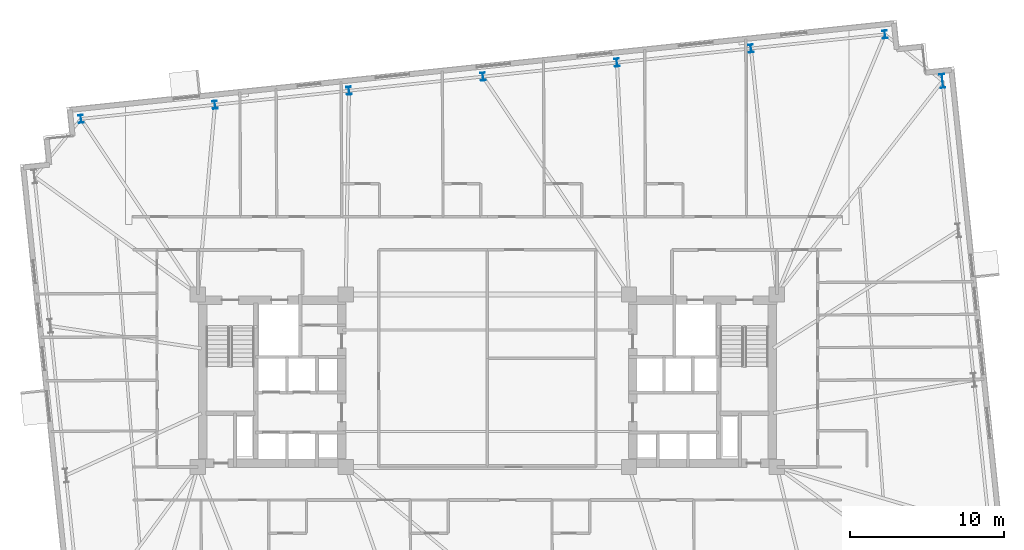
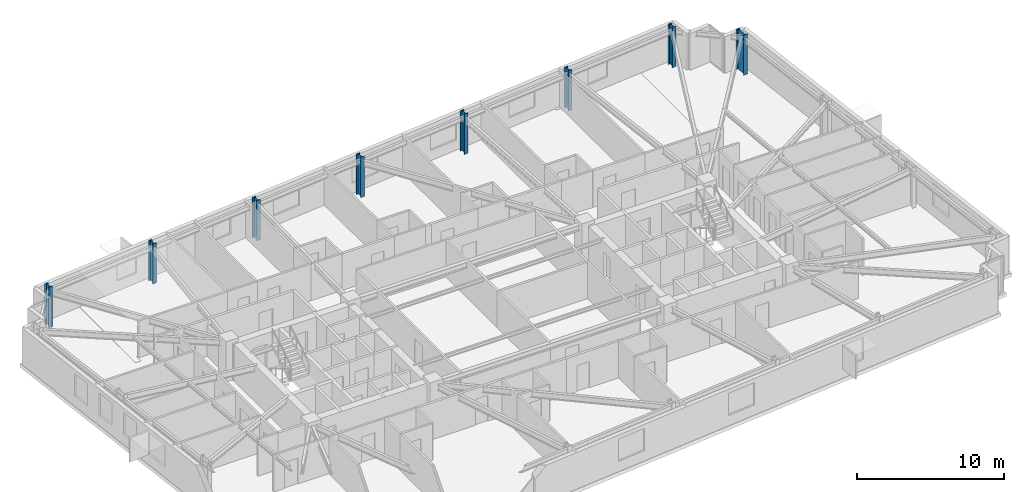
# One storey, part 3 of 19: 8 columns.
"""IFC4 building model written with IfcOpenShell, lengths in metres."""

from ifc_helpers import new_model, si_unit, direction, frame, origin, origin_2d, place, context, subcontext, project, spatial, i_section, extrude, material, material_profile, profile_set, type_object, element, save


model = new_model("IFC4")

# Units and contexts
model_context = context("Model", 3, precision=1e-05, world=origin(), true_north=direction((0.0, 1.0)))
body_context = subcontext(model_context, "Body", "Model", "MODEL_VIEW")
ifc_project = project(units=[si_unit("LENGTHUNIT", "METRE"), si_unit("AREAUNIT", "SQUARE_METRE"), si_unit("VOLUMEUNIT", "CUBIC_METRE"), si_unit("PLANEANGLEUNIT", "RADIAN"), si_unit("MASSUNIT", "GRAM", prefix="KILO")], contexts=[model_context])

# Site, building, storey
site_placement = place(None, origin())
site = spatial("IfcSite", under=ifc_project, at=site_placement, CompositionType="ELEMENT")
building_placement = place(site_placement, origin())
building = spatial("IfcBuilding", under=site, at=building_placement, Name="Qobustan Lattice House", CompositionType="ELEMENT")
storey_placement = place(building_placement, frame((0.0, 0.0, 82.35009765625)))
storey = spatial("IfcBuildingStorey", under=building, at=storey_placement, Name="L22", CompositionType="ELEMENT", Elevation=82.35009765625)

# Columns
ifc_material_1 = material(Name="Steel S355", Category="steel")
ifc_material_profile_1 = material_profile(ifc_material_1, i_section(OverallWidth=0.300048828125, OverallDepth=0.89990234375, WebThickness=0.0185546875, FlangeThickness=0.034912109375, FilletRadius=0.030029296875, at=origin_2d()), Name="HEB900")
ifc_profile_set_1 = profile_set([ifc_material_profile_1], Name="Steel S355")
column_type_1 = type_object("IfcColumnType", Name="COL-ST-HEB900", PredefinedType="COLUMN", material=ifc_profile_set_1)
column_placement = place(storey_placement, frame((29.55615234375, 19.468994140625, 0.0), z_axis=(0.0, 0.0, 1.0), x_axis=(0.994521895368, 0.104528463268, 0.0)))
element("IfcColumn", 1, at=column_placement, inside=storey, type_object=column_type_1, Name="L22 B2 perimeter column E4", PredefinedType="COLUMN", context=body_context, shape_type="SweptSolid", body=[
    extrude(i_section(OverallWidth=0.300048828125, OverallDepth=0.89990234375, WebThickness=0.0185546875, FlangeThickness=0.034912109375, FilletRadius=0.030029296875, at=origin_2d()), origin(), (0.0, 0.0, 1.0), 3.349853515625),
])
ifc_material_2 = material(Name="Steel S355", Category="steel")
ifc_material_profile_2 = material_profile(ifc_material_2, i_section(OverallWidth=0.305908203125, OverallDepth=0.52392578125, WebThickness=0.02099609375, FlangeThickness=0.0400390625, FilletRadius=0.027099609375, at=origin_2d()), Name="HEM500")
ifc_profile_set_2 = profile_set([ifc_material_profile_2], Name="Steel S355")
column_type_2 = type_object("IfcColumnType", Name="COL-ST-HEM500", PredefinedType="COLUMN", material=ifc_profile_set_2)
for number, where, z_axis, x_axis, name in (
    (2, (25.819580078125, 22.4951171875, 0.0), (0.0, 0.0, 1.0), (0.994521895368, 0.104528463268, 0.0), "L22 B2 perimeter column N1"),
    (3, (17.117431640625, 21.580322265625, 0.0), (0.0, 0.0, 1.0), (0.994521895368, 0.104528463268, 0.0), "L22 B2 perimeter column N2"),
    (4, (8.415283203125, 20.665771484375, 0.0), (0.0, 0.0, 1.0), (0.994521895368, 0.104528463268, 0.0), "L22 B2 perimeter column N3"),
    (5, (-0.28662109375, 19.751220703125, 0.0), (0.0, 0.0, 1.0), (0.994521895368, 0.104528463268, 0.0), "L22 B2 perimeter column N4"),
    (6, (-8.98876953125, 18.83642578125, 0.0), (0.0, 0.0, 1.0), (0.994521895368, 0.104528463268, 0.0), "L22 B2 perimeter column N5"),
    (7, (-17.69091796875, 17.921875, 0.0), (0.0, 0.0, 1.0), (0.994521895368, 0.104528463268, 0.0), "L22 B2 perimeter column N6"),
    (8, (-26.392822265625, 17.007080078125, 0.0), (0.0, 0.0, 1.0), (0.994521895368, 0.104528463268, 0.0), "L22 B2 perimeter column N7"),
):
    element("IfcColumn", number, at=place(storey_placement, frame(where, z_axis=z_axis, x_axis=x_axis)), inside=storey, type_object=column_type_2, Name=name, PredefinedType="COLUMN", context=body_context, shape_type="SweptSolid", body=[
        extrude(i_section(OverallWidth=0.305908203125, OverallDepth=0.52392578125, WebThickness=0.02099609375, FlangeThickness=0.0400390625, FilletRadius=0.027099609375, at=origin_2d()), origin(), (0.0, 0.0, 1.0), 3.349853515625),
    ])

save(model, "model.ifc")
